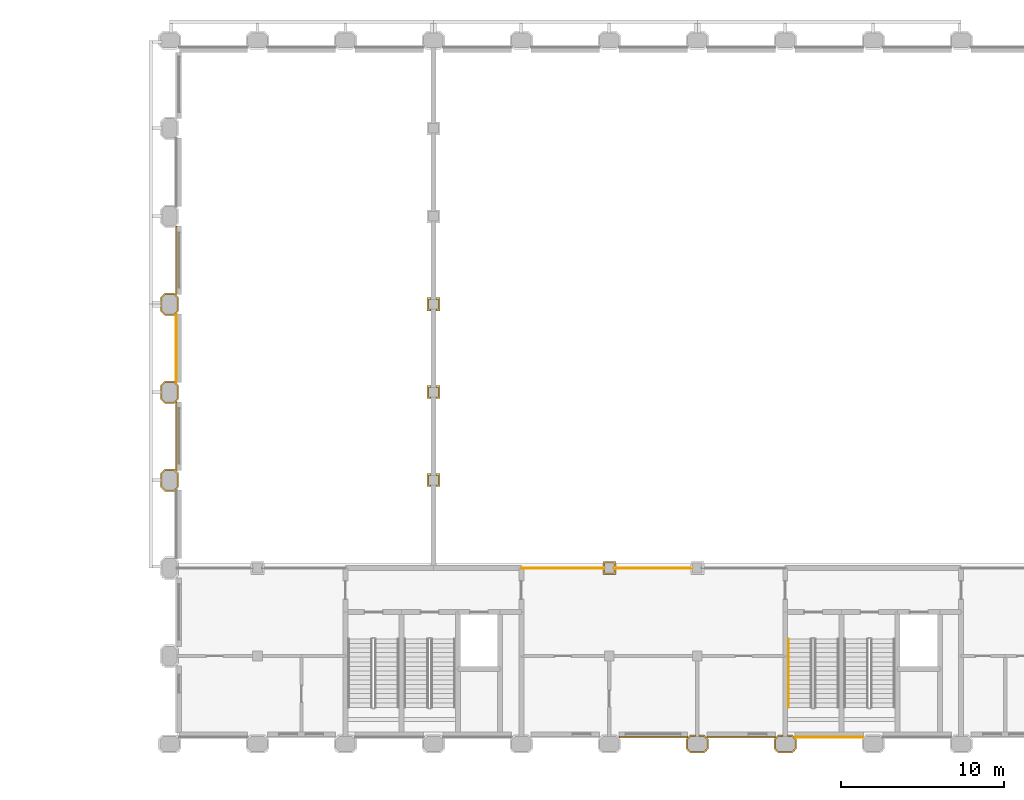
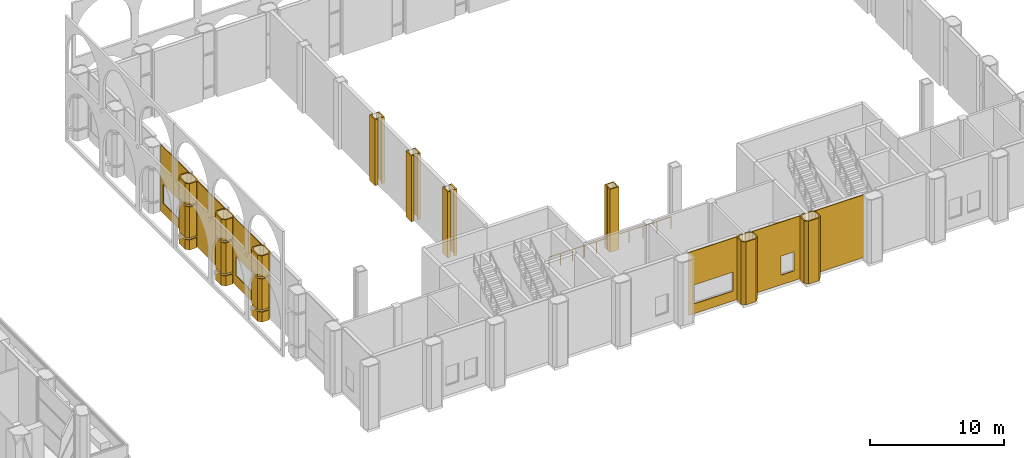
# One storey, part 30 of 34: 25 coverings, 3 railings.
"""IFC4 building model written with IfcOpenShell, lengths in metres."""

from ifc_helpers import new_model, si_unit, direction, frame, frame_2d, origin, origin_2d, place, context, subcontext, project, spatial, polyline, rectangle, circle, outline, extrude, material, layer, layer_set, type_object, element, save


model = new_model("IFC4")

# Units and contexts
model_context = context("Model", 3, precision=1e-05, world=origin(), true_north=direction((0.0, 1.0)))
body_context = subcontext(model_context, "Body", "Model", "MODEL_VIEW")
ifc_project = project(units=[si_unit("LENGTHUNIT", "METRE"), si_unit("AREAUNIT", "SQUARE_METRE"), si_unit("VOLUMEUNIT", "CUBIC_METRE"), si_unit("PLANEANGLEUNIT", "RADIAN"), si_unit("MASSUNIT", "GRAM", prefix="KILO")], contexts=[model_context])

# Site, building, storey
site_placement = place(None, origin())
site = spatial("IfcSite", under=ifc_project, at=site_placement, CompositionType="ELEMENT")
building_placement = place(site_placement, origin())
building = spatial("IfcBuilding", under=site, at=building_placement, Name="Tabaq Tower and Sports Hall", CompositionType="ELEMENT")
storey_placement = place(building_placement, frame((0.0, 0.0, 8.39990234375)))
storey = spatial("IfcBuildingStorey", under=building, at=storey_placement, Name="L01", CompositionType="ELEMENT", Elevation=8.39990234375)

# Coverings
ifc_material_1 = material(Name="Precast concrete C60/75", Category="concrete")
ifc_layer_1 = layer(ifc_material_1, 0.10009765625)
ifc_layer_set_1 = layer_set([ifc_layer_1], Name="Column cladding 100")
covering_type_1 = type_object("IfcCoveringType", Name="Column cladding 100", PredefinedType="CLADDING", material=ifc_layer_set_1)
covering_1_placement = place(storey_placement, origin())
element("IfcCovering", 1, at=covering_1_placement, inside=storey, type_object=covering_type_1, Name="Column cladding L01 HC-13D", PredefinedType="CLADDING", context=body_context, shape_type="SweptSolid", body=[
    extrude(outline(polyline([(65.09130859375, 15.500244140625), (64.5087890625, 15.500244140625), (64.250244140625, 15.7587890625), (64.250244140625, 16.641357421875), (64.5087890625, 16.899658203125), (65.09130859375, 16.899658203125), (65.349609375, 16.641357421875), (65.349609375, 15.7587890625), (65.09130859375, 15.500244140625)]), holes=[polyline([(65.250244140625, 16.60009765625), (65.050048828125, 16.80029296875), (64.5498046875, 16.80029296875), (64.349609375, 16.60009765625), (64.349609375, 15.7998046875), (64.5498046875, 15.599609375), (65.050048828125, 15.599609375), (65.250244140625, 15.7998046875), (65.250244140625, 16.60009765625)])]), origin(), (0.0, 0.0, 1.0), 0.900146484375),
])
covering_2_placement = place(storey_placement, frame((0.0, 0.0, 1.10009765625)))
element("IfcCovering", 2, at=covering_2_placement, inside=storey, type_object=covering_type_1, Name="Column cladding L01 HC-13D 2", PredefinedType="CLADDING", context=body_context, shape_type="SweptSolid", body=[
    extrude(outline(polyline([(65.09130859375, 15.500244140625), (64.5087890625, 15.500244140625), (64.250244140625, 15.7587890625), (64.250244140625, 16.641357421875), (64.5087890625, 16.899658203125), (65.09130859375, 16.899658203125), (65.349609375, 16.641357421875), (65.349609375, 15.7587890625), (65.09130859375, 15.500244140625)]), holes=[polyline([(65.250244140625, 16.60009765625), (65.050048828125, 16.80029296875), (64.5498046875, 16.80029296875), (64.349609375, 16.60009765625), (64.349609375, 15.7998046875), (64.5498046875, 15.599609375), (65.050048828125, 15.599609375), (65.250244140625, 15.7998046875), (65.250244140625, 16.60009765625)])]), origin(), (0.0, 0.0, 1.0), 2.800048828125),
])
covering_3_placement = place(storey_placement, frame((0.0, 0.0, 4.10009765625)))
element("IfcCovering", 3, at=covering_3_placement, inside=storey, type_object=covering_type_1, Name="Column cladding L01 HC-13D 3", PredefinedType="CLADDING", context=body_context, shape_type="SweptSolid", body=[
    extrude(outline(polyline([(65.09130859375, 15.500244140625), (64.5087890625, 15.500244140625), (64.250244140625, 15.7587890625), (64.250244140625, 16.641357421875), (64.5087890625, 16.899658203125), (65.09130859375, 16.899658203125), (65.349609375, 16.641357421875), (65.349609375, 15.7587890625), (65.09130859375, 15.500244140625)]), holes=[polyline([(65.250244140625, 16.60009765625), (65.050048828125, 16.80029296875), (64.5498046875, 16.80029296875), (64.349609375, 16.60009765625), (64.349609375, 15.7998046875), (64.5498046875, 15.599609375), (65.050048828125, 15.599609375), (65.250244140625, 15.7998046875), (65.250244140625, 16.60009765625)])]), origin(), (0.0, 0.0, 1.0), 1.89990234375),
])
covering_4_placement = place(storey_placement, origin())
element("IfcCovering", 4, at=covering_4_placement, inside=storey, type_object=covering_type_1, Name="Column cladding L01 HC-13E", PredefinedType="CLADDING", context=body_context, shape_type="SweptSolid", body=[
    extrude(outline(polyline([(65.09130859375, 20.900390625), (64.5087890625, 20.900390625), (64.250244140625, 21.15869140625), (64.250244140625, 22.041259765625), (64.5087890625, 22.2998046875), (65.09130859375, 22.2998046875), (65.349609375, 22.041259765625), (65.349609375, 21.15869140625), (65.09130859375, 20.900390625)]), holes=[polyline([(65.250244140625, 22.000244140625), (65.050048828125, 22.2001953125), (64.5498046875, 22.2001953125), (64.349609375, 22.000244140625), (64.349609375, 21.199951171875), (64.5498046875, 20.999755859375), (65.050048828125, 20.999755859375), (65.250244140625, 21.199951171875), (65.250244140625, 22.000244140625)])]), origin(), (0.0, 0.0, 1.0), 0.900146484375),
])
covering_5_placement = place(storey_placement, frame((0.0, 0.0, 1.10009765625)))
element("IfcCovering", 5, at=covering_5_placement, inside=storey, type_object=covering_type_1, Name="Column cladding L01 HC-13E 2", PredefinedType="CLADDING", context=body_context, shape_type="SweptSolid", body=[
    extrude(outline(polyline([(65.09130859375, 20.900390625), (64.5087890625, 20.900390625), (64.250244140625, 21.15869140625), (64.250244140625, 22.041259765625), (64.5087890625, 22.2998046875), (65.09130859375, 22.2998046875), (65.349609375, 22.041259765625), (65.349609375, 21.15869140625), (65.09130859375, 20.900390625)]), holes=[polyline([(65.250244140625, 22.000244140625), (65.050048828125, 22.2001953125), (64.5498046875, 22.2001953125), (64.349609375, 22.000244140625), (64.349609375, 21.199951171875), (64.5498046875, 20.999755859375), (65.050048828125, 20.999755859375), (65.250244140625, 21.199951171875), (65.250244140625, 22.000244140625)])]), origin(), (0.0, 0.0, 1.0), 2.800048828125),
])
covering_6_placement = place(storey_placement, frame((0.0, 0.0, 4.10009765625)))
element("IfcCovering", 6, at=covering_6_placement, inside=storey, type_object=covering_type_1, Name="Column cladding L01 HC-13E 3", PredefinedType="CLADDING", context=body_context, shape_type="SweptSolid", body=[
    extrude(outline(polyline([(65.09130859375, 20.900390625), (64.5087890625, 20.900390625), (64.250244140625, 21.15869140625), (64.250244140625, 22.041259765625), (64.5087890625, 22.2998046875), (65.09130859375, 22.2998046875), (65.349609375, 22.041259765625), (65.349609375, 21.15869140625), (65.09130859375, 20.900390625)]), holes=[polyline([(65.250244140625, 22.000244140625), (65.050048828125, 22.2001953125), (64.5498046875, 22.2001953125), (64.349609375, 22.000244140625), (64.349609375, 21.199951171875), (64.5498046875, 20.999755859375), (65.050048828125, 20.999755859375), (65.250244140625, 21.199951171875), (65.250244140625, 22.000244140625)])]), origin(), (0.0, 0.0, 1.0), 1.89990234375),
])
covering_7_placement = place(storey_placement, origin())
element("IfcCovering", 7, at=covering_7_placement, inside=storey, type_object=covering_type_1, Name="Column cladding L01 HC-13F", PredefinedType="CLADDING", context=body_context, shape_type="SweptSolid", body=[
    extrude(outline(polyline([(65.09130859375, 26.30029296875), (64.5087890625, 26.30029296875), (64.250244140625, 26.55859375), (64.250244140625, 27.44140625), (64.5087890625, 27.69970703125), (65.09130859375, 27.69970703125), (65.349609375, 27.44140625), (65.349609375, 26.55859375), (65.09130859375, 26.30029296875)]), holes=[polyline([(65.250244140625, 27.400146484375), (65.050048828125, 27.600341796875), (64.5498046875, 27.600341796875), (64.349609375, 27.400146484375), (64.349609375, 26.599853515625), (64.5498046875, 26.399658203125), (65.050048828125, 26.399658203125), (65.250244140625, 26.599853515625), (65.250244140625, 27.400146484375)])]), origin(), (0.0, 0.0, 1.0), 0.900146484375),
])
covering_8_placement = place(storey_placement, frame((0.0, 0.0, 1.10009765625)))
element("IfcCovering", 8, at=covering_8_placement, inside=storey, type_object=covering_type_1, Name="Column cladding L01 HC-13F 2", PredefinedType="CLADDING", context=body_context, shape_type="SweptSolid", body=[
    extrude(outline(polyline([(65.09130859375, 26.30029296875), (64.5087890625, 26.30029296875), (64.250244140625, 26.55859375), (64.250244140625, 27.44140625), (64.5087890625, 27.69970703125), (65.09130859375, 27.69970703125), (65.349609375, 27.44140625), (65.349609375, 26.55859375), (65.09130859375, 26.30029296875)]), holes=[polyline([(65.250244140625, 27.400146484375), (65.050048828125, 27.600341796875), (64.5498046875, 27.600341796875), (64.349609375, 27.400146484375), (64.349609375, 26.599853515625), (64.5498046875, 26.399658203125), (65.050048828125, 26.399658203125), (65.250244140625, 26.599853515625), (65.250244140625, 27.400146484375)])]), origin(), (0.0, 0.0, 1.0), 2.800048828125),
])
covering_9_placement = place(storey_placement, frame((0.0, 0.0, 4.10009765625)))
element("IfcCovering", 9, at=covering_9_placement, inside=storey, type_object=covering_type_1, Name="Column cladding L01 HC-13F 3", PredefinedType="CLADDING", context=body_context, shape_type="SweptSolid", body=[
    extrude(outline(polyline([(65.09130859375, 26.30029296875), (64.5087890625, 26.30029296875), (64.250244140625, 26.55859375), (64.250244140625, 27.44140625), (64.5087890625, 27.69970703125), (65.09130859375, 27.69970703125), (65.349609375, 27.44140625), (65.349609375, 26.55859375), (65.09130859375, 26.30029296875)]), holes=[polyline([(65.250244140625, 27.400146484375), (65.050048828125, 27.600341796875), (64.5498046875, 27.600341796875), (64.349609375, 27.400146484375), (64.349609375, 26.599853515625), (64.5498046875, 26.399658203125), (65.050048828125, 26.399658203125), (65.250244140625, 26.599853515625), (65.250244140625, 27.400146484375)])]), origin(), (0.0, 0.0, 1.0), 1.89990234375),
])
covering_10_placement = place(storey_placement, origin())
element("IfcCovering", 10, at=covering_10_placement, inside=storey, type_object=covering_type_1, Name="Column cladding L01 HC-16D", PredefinedType="CLADDING", context=body_context, shape_type="SweptSolid", body=[
    extrude(outline(polyline([(80.849609375, 16.599609375), (80.849609375, 16.500244140625), (80.69970703125, 16.500244140625), (80.69970703125, 15.899658203125), (80.849609375, 15.899658203125), (80.849609375, 15.80029296875), (80.600341796875, 15.80029296875), (80.600341796875, 16.599609375), (80.849609375, 16.599609375)])), origin(), (0.0, 0.0, 1.0), 6.0),
])
covering_11_placement = place(storey_placement, origin())
element("IfcCovering", 11, at=covering_11_placement, inside=storey, type_object=covering_type_1, Name="Column cladding L01 HC-16D 2", PredefinedType="CLADDING", context=body_context, shape_type="SweptSolid", body=[
    extrude(outline(polyline([(81.399658203125, 16.599609375), (81.399658203125, 15.80029296875), (81.150390625, 15.80029296875), (81.150390625, 15.899658203125), (81.30029296875, 15.899658203125), (81.30029296875, 16.500244140625), (81.150390625, 16.500244140625), (81.150390625, 16.599609375), (81.399658203125, 16.599609375)])), origin(), (0.0, 0.0, 1.0), 6.0),
])
covering_12_placement = place(storey_placement, origin())
element("IfcCovering", 12, at=covering_12_placement, inside=storey, type_object=covering_type_1, Name="Column cladding L01 HC-16E", PredefinedType="CLADDING", context=body_context, shape_type="SweptSolid", body=[
    extrude(outline(polyline([(81.399658203125, 21.999755859375), (81.399658203125, 21.2001953125), (81.150390625, 21.2001953125), (81.150390625, 21.2998046875), (81.30029296875, 21.2998046875), (81.30029296875, 21.900390625), (81.150390625, 21.900390625), (81.150390625, 21.999755859375), (81.399658203125, 21.999755859375)])), origin(), (0.0, 0.0, 1.0), 6.0),
])
covering_13_placement = place(storey_placement, origin())
element("IfcCovering", 13, at=covering_13_placement, inside=storey, type_object=covering_type_1, Name="Column cladding L01 HC-16E 2", PredefinedType="CLADDING", context=body_context, shape_type="SweptSolid", body=[
    extrude(outline(polyline([(80.849609375, 21.999755859375), (80.849609375, 21.900390625), (80.69970703125, 21.900390625), (80.69970703125, 21.2998046875), (80.849609375, 21.2998046875), (80.849609375, 21.2001953125), (80.600341796875, 21.2001953125), (80.600341796875, 21.999755859375), (80.849609375, 21.999755859375)])), origin(), (0.0, 0.0, 1.0), 6.0),
])
covering_14_placement = place(storey_placement, origin())
element("IfcCovering", 14, at=covering_14_placement, inside=storey, type_object=covering_type_1, Name="Column cladding L01 HC-16F", PredefinedType="CLADDING", context=body_context, shape_type="SweptSolid", body=[
    extrude(outline(polyline([(81.399658203125, 27.399658203125), (81.399658203125, 26.600341796875), (81.150390625, 26.600341796875), (81.150390625, 26.69970703125), (81.30029296875, 26.69970703125), (81.30029296875, 27.30029296875), (81.150390625, 27.30029296875), (81.150390625, 27.399658203125), (81.399658203125, 27.399658203125)])), origin(), (0.0, 0.0, 1.0), 6.0),
])
covering_15_placement = place(storey_placement, origin())
element("IfcCovering", 15, at=covering_15_placement, inside=storey, type_object=covering_type_1, Name="Column cladding L01 HC-16F 2", PredefinedType="CLADDING", context=body_context, shape_type="SweptSolid", body=[
    extrude(outline(polyline([(80.849609375, 27.399658203125), (80.849609375, 27.30029296875), (80.69970703125, 27.30029296875), (80.69970703125, 26.69970703125), (80.849609375, 26.69970703125), (80.849609375, 26.600341796875), (80.600341796875, 26.600341796875), (80.600341796875, 27.399658203125), (80.849609375, 27.399658203125)])), origin(), (0.0, 0.0, 1.0), 6.0),
])
covering_16_placement = place(storey_placement, origin())
element("IfcCovering", 16, at=covering_16_placement, inside=storey, type_object=covering_type_1, Name="Column cladding L01 HC-18C", PredefinedType="CLADDING", context=body_context, shape_type="SweptSolid", body=[
    extrude(outline(polyline([(92.19970703125, 11.19970703125), (92.19970703125, 10.84033203125), (92.100341796875, 10.84033203125), (92.100341796875, 11.100341796875), (91.499755859375, 11.100341796875), (91.499755859375, 10.84033203125), (91.400390625, 10.84033203125), (91.400390625, 11.19970703125), (92.19970703125, 11.19970703125)])), origin(), (0.0, 0.0, 1.0), 5.7001953125),
])
covering_17_placement = place(storey_placement, origin())
element("IfcCovering", 17, at=covering_17_placement, inside=storey, type_object=covering_type_1, Name="Column cladding L01 HC-18C 2", PredefinedType="CLADDING", context=body_context, shape_type="SweptSolid", body=[
    extrude(outline(polyline([(92.19970703125, 10.400390625), (91.400390625, 10.400390625), (91.400390625, 10.759765625), (91.499755859375, 10.759765625), (91.499755859375, 10.499755859375), (92.100341796875, 10.499755859375), (92.100341796875, 10.759765625), (92.19970703125, 10.759765625), (92.19970703125, 10.400390625)])), origin(), (0.0, 0.0, 1.0), 5.7001953125),
])
covering_18_placement = place(storey_placement, origin())
element("IfcCovering", 18, at=covering_18_placement, inside=storey, type_object=covering_type_1, Name="Column cladding L01 HC-19A", PredefinedType="CLADDING", context=body_context, shape_type="SweptSolid", body=[
    extrude(outline(polyline([(96.500244140625, 0.291259765625), (96.7587890625, 0.5498046875), (97.099609375, 0.5498046875), (97.099609375, 0.4501953125), (96.7998046875, 0.4501953125), (96.599609375, 0.250244140625), (96.599609375, -0.250244140625), (96.7998046875, -0.4501953125), (97.60009765625, -0.4501953125), (97.80029296875, -0.250244140625), (97.80029296875, 0.250244140625), (97.60009765625, 0.4501953125), (97.30029296875, 0.4501953125), (97.30029296875, 0.5498046875), (97.641357421875, 0.5498046875), (97.899658203125, 0.291259765625), (97.899658203125, -0.291259765625), (97.641357421875, -0.5498046875), (96.7587890625, -0.5498046875), (96.500244140625, -0.291259765625), (96.500244140625, 0.291259765625)])), origin(), (0.0, 0.0, 1.0), 5.7001953125),
])
covering_19_placement = place(storey_placement, origin())
element("IfcCovering", 19, at=covering_19_placement, inside=storey, type_object=covering_type_1, Name="Column cladding L01 HC-20A", PredefinedType="CLADDING", context=body_context, shape_type="SweptSolid", body=[
    extrude(outline(polyline([(101.900390625, 0.291259765625), (102.15869140625, 0.5498046875), (102.44970703125, 0.5498046875), (102.44970703125, 0.4501953125), (102.199951171875, 0.4501953125), (101.999755859375, 0.250244140625), (101.999755859375, -0.250244140625), (102.199951171875, -0.4501953125), (103.000244140625, -0.4501953125), (103.2001953125, -0.250244140625), (103.2001953125, 0.250244140625), (103.000244140625, 0.4501953125), (102.750244140625, 0.4501953125), (102.750244140625, 0.5498046875), (103.041259765625, 0.5498046875), (103.2998046875, 0.291259765625), (103.2998046875, -0.291259765625), (103.041259765625, -0.5498046875), (102.15869140625, -0.5498046875), (101.900390625, -0.291259765625), (101.900390625, 0.291259765625)])), origin(), (0.0, 0.0, 1.0), 5.7001953125),
])

# Railings
ifc_material_2 = material(Name="Stainless steel and glass balustrade", Category="steel")
railing_type_1 = type_object("IfcRailingType", Name="HALL GUARD 1100", PredefinedType="GUARDRAIL", material=ifc_material_2)
railing_1_placement = place(storey_placement, frame((86.39990234375, 10.800048828125, 0.0)))
element("IfcRailing", 20, at=railing_1_placement, inside=storey, type_object=railing_type_1, Name="L01 gallery guard", PredefinedType="GUARDRAIL", context=body_context, shape_type="SweptSolid", body=[
    extrude(circle(Radius=0.02392578125, at=origin_2d()), frame((0.0, 0.0, 1.076171875), z_axis=(1.0, 0.0, 0.0), x_axis=(0.0, 1.0, 0.0)), (0.0, 0.0, 1.0), 5.10009765625),
    extrude(circle(Radius=0.02099609375, at=origin_2d()), origin(), (0.0, 0.0, 1.0), 1.052001953125),
    extrude(circle(Radius=0.02099609375, at=origin_2d()), frame((1.02001953125, 0.0, 0.0)), (0.0, 0.0, 1.0), 1.052001953125),
    extrude(circle(Radius=0.02099609375, at=origin_2d()), frame((2.0400390625, 0.0, 0.0)), (0.0, 0.0, 1.0), 1.052001953125),
    extrude(circle(Radius=0.02099609375, at=origin_2d()), frame((3.06005859375, 0.0, 0.0)), (0.0, 0.0, 1.0), 1.052001953125),
    extrude(circle(Radius=0.02099609375, at=origin_2d()), frame((4.080078125, 0.0, 0.0)), (0.0, 0.0, 1.0), 1.052001953125),
    extrude(circle(Radius=0.02099609375, at=origin_2d()), frame((5.10009765625, 0.0, 0.0)), (0.0, 0.0, 1.0), 1.052001953125),
])
railing_2_placement = place(storey_placement, frame((92.10009765625, 10.800048828125, 0.0)))
element("IfcRailing", 21, at=railing_2_placement, inside=storey, type_object=railing_type_1, Name="L01 gallery guard", PredefinedType="GUARDRAIL", context=body_context, shape_type="SweptSolid", body=[
    extrude(circle(Radius=0.02392578125, at=origin_2d()), frame((0.0, 0.0, 1.076171875), z_axis=(1.0, 0.0, 0.0), x_axis=(0.0, 1.0, 0.0)), (0.0, 0.0, 1.0), 4.7998046875),
    extrude(circle(Radius=0.02099609375, at=origin_2d()), origin(), (0.0, 0.0, 1.0), 1.052001953125),
    extrude(circle(Radius=0.02099609375, at=origin_2d()), frame((1.199951171875, 0.0, 0.0)), (0.0, 0.0, 1.0), 1.052001953125),
    extrude(circle(Radius=0.02099609375, at=origin_2d()), frame((2.39990234375, 0.0, 0.0)), (0.0, 0.0, 1.0), 1.052001953125),
    extrude(circle(Radius=0.02099609375, at=origin_2d()), frame((3.599853515625, 0.0, 0.0)), (0.0, 0.0, 1.0), 1.052001953125),
    extrude(circle(Radius=0.02099609375, at=origin_2d()), frame((4.7998046875, 0.0, 0.0)), (0.0, 0.0, 1.0), 1.052001953125),
])
ifc_material_3 = material(Name="Stainless steel handrail", Category="steel")
railing_type_2 = type_object("IfcRailingType", Name="HALL HANDRAIL 900", PredefinedType="HANDRAIL", material=ifc_material_3)
railing_3_placement = place(storey_placement, frame((102.800048828125, 6.449951171875, 0.1875)))
element("IfcRailing", 22, at=railing_3_placement, inside=storey, type_object=railing_type_2, Name="L01 ST-H3 stair handrail 1", PredefinedType="HANDRAIL", context=body_context, shape_type="SweptSolid", body=[
    extrude(circle(Radius=0.02392578125, at=origin_2d()), frame((0.0, 0.0, 0.8759765625), z_axis=(0.0, -0.830904186295, 0.556415522067), x_axis=(1.0, 0.0, 0.0)), (0.0, 0.0, 1.0), 5.0546875),
    extrude(circle(Radius=0.02099609375, at=origin_2d()), origin(), (0.0, 0.0, 1.0), 0.851806640625),
    extrude(circle(Radius=0.02099609375, at=origin_2d()), frame((0.0, -0.840087890625, 0.5625)), (0.0, 0.0, 1.0), 0.851806640625),
    extrude(circle(Radius=0.02099609375, at=origin_2d()), frame((0.0, -1.679931640625, 1.125)), (0.0, 0.0, 1.0), 0.851806640625),
    extrude(circle(Radius=0.02099609375, at=origin_2d()), frame((0.0, -2.52001953125, 1.6875)), (0.0, 0.0, 1.0), 0.851806640625),
    extrude(circle(Radius=0.02099609375, at=origin_2d()), frame((0.0, -3.35986328125, 2.25)), (0.0, 0.0, 1.0), 0.851806640625),
    extrude(circle(Radius=0.02099609375, at=origin_2d()), frame((0.0, -4.199951171875, 2.8125)), (0.0, 0.0, 1.0), 0.851806640625),
])

# Coverings
ifc_material_4 = material(Name="Precast concrete C60/75", Category="concrete")
ifc_layer_2 = layer(ifc_material_4, 0.06005859375)
ifc_layer_set_2 = layer_set([ifc_layer_2], Name="White precast cladding panel 60 C60/75")
covering_type_2 = type_object("IfcCoveringType", Name="White precast cladding panel 60 C60/75", PredefinedType="CLADDING", material=ifc_layer_set_2)
covering_20_placement = place(storey_placement, frame((92.39990234375, 0.419921875, 0.0), z_axis=(0.0, 0.0, 1.0), x_axis=(1.0, 0.0, 0.0)))
element("IfcCovering", 23, at=covering_20_placement, inside=storey, type_object=covering_type_2, Name="White precast cladding panel L01 L01", PredefinedType="CLADDING", context=body_context, shape_type="SweptSolid", body=[
    extrude(outline(polyline([(0.0, 0.0), (4.2001953125, 0.0), (4.2001953125, 5.7001953125), (0.0, 5.7001953125), (0.0, 0.0)]), holes=[polyline([(0.389892578125, 0.89013671875), (0.389892578125, 2.610107421875), (3.81005859375, 2.610107421875), (3.81005859375, 0.89013671875), (0.389892578125, 0.89013671875)])]), frame((0.0, 0.030029296875, 0.0), z_axis=(0.0, -1.0, 0.0), x_axis=(1.0, 0.0, 0.0)), (0.0, 0.0, 1.0), 0.06005859375),
])
covering_21_placement = place(storey_placement, frame((97.800048828125, 0.419921875, 0.0), z_axis=(0.0, 0.0, 1.0), x_axis=(1.0, 0.0, 0.0)))
element("IfcCovering", 24, at=covering_21_placement, inside=storey, type_object=covering_type_2, Name="White precast cladding panel L01 L01", PredefinedType="CLADDING", context=body_context, shape_type="SweptSolid", body=[
    extrude(outline(polyline([(0.0, 0.0), (4.199951171875, 0.0), (4.199951171875, 5.7001953125), (0.0, 5.7001953125), (0.0, 0.0)]), holes=[polyline([(2.5400390625, 0.89013671875), (2.5400390625, 2.610107421875), (3.659912109375, 2.610107421875), (3.659912109375, 0.89013671875), (2.5400390625, 0.89013671875)])]), frame((0.0, 0.030029296875, 0.0), z_axis=(0.0, -1.0, 0.0), x_axis=(1.0, 0.0, 0.0)), (0.0, 0.0, 1.0), 0.06005859375),
])
covering_22_placement = place(storey_placement, frame((103.199951171875, 0.419921875, 0.0), z_axis=(0.0, 0.0, 1.0), x_axis=(1.0, 0.0, 0.0)))
element("IfcCovering", 25, at=covering_22_placement, inside=storey, type_object=covering_type_2, Name="White precast cladding panel L01 L01", PredefinedType="CLADDING", context=body_context, shape_type="SweptSolid", body=[
    extrude(rectangle(XDim=4.199951171875, YDim=0.06005859375, at=frame_2d((2.10009765625, 0.0))), origin(), (0.0, 0.0, 1.0), 5.7001953125),
])
covering_23_placement = place(storey_placement, frame((65.219970703125, 16.800048828125, 0.0), z_axis=(0.0, 0.0, 1.0), x_axis=(0.0, 1.0, 0.0)))
element("IfcCovering", 26, at=covering_23_placement, inside=storey, type_object=covering_type_2, Name="White precast cladding panel L01 L01", PredefinedType="CLADDING", context=body_context, shape_type="SweptSolid", body=[
    extrude(outline(polyline([(0.0, 0.0), (4.199951171875, 0.0), (4.199951171875, 6.0), (0.0, 6.0), (0.0, 0.0)]), holes=[polyline([(0.389892578125, 0.89013671875), (0.389892578125, 2.610107421875), (3.81005859375, 2.610107421875), (3.81005859375, 0.89013671875), (0.389892578125, 0.89013671875)])]), frame((0.0, 0.030029296875, 0.0), z_axis=(0.0, -1.0, 0.0), x_axis=(1.0, 0.0, 0.0)), (0.0, 0.0, 1.0), 0.06005859375),
])
covering_24_placement = place(storey_placement, frame((65.219970703125, 22.199951171875, 0.0), z_axis=(0.0, 0.0, 1.0), x_axis=(0.0, 1.0, 0.0)))
element("IfcCovering", 27, at=covering_24_placement, inside=storey, type_object=covering_type_2, Name="White precast cladding panel L01 L01", PredefinedType="CLADDING", context=body_context, shape_type="SweptSolid", body=[
    extrude(rectangle(XDim=4.199951171875, YDim=0.06005859375, at=frame_2d((2.10009765625, 0.0))), origin(), (0.0, 0.0, 1.0), 6.0),
])
covering_25_placement = place(storey_placement, frame((65.219970703125, 27.60009765625, 0.0), z_axis=(0.0, 0.0, 1.0), x_axis=(0.0, 1.0, 0.0)))
element("IfcCovering", 28, at=covering_25_placement, inside=storey, type_object=covering_type_2, Name="White precast cladding panel L01 L01", PredefinedType="CLADDING", context=body_context, shape_type="SweptSolid", body=[
    extrude(outline(polyline([(0.0, 0.0), (4.199951171875, 0.0), (4.199951171875, 6.0), (0.0, 6.0), (0.0, 0.0)]), holes=[polyline([(0.389892578125, 0.89013671875), (0.389892578125, 2.610107421875), (3.81005859375, 2.610107421875), (3.81005859375, 0.89013671875), (0.389892578125, 0.89013671875)])]), frame((0.0, 0.030029296875, 0.0), z_axis=(0.0, -1.0, 0.0), x_axis=(1.0, 0.0, 0.0)), (0.0, 0.0, 1.0), 0.06005859375),
])

save(model, "model.ifc")
